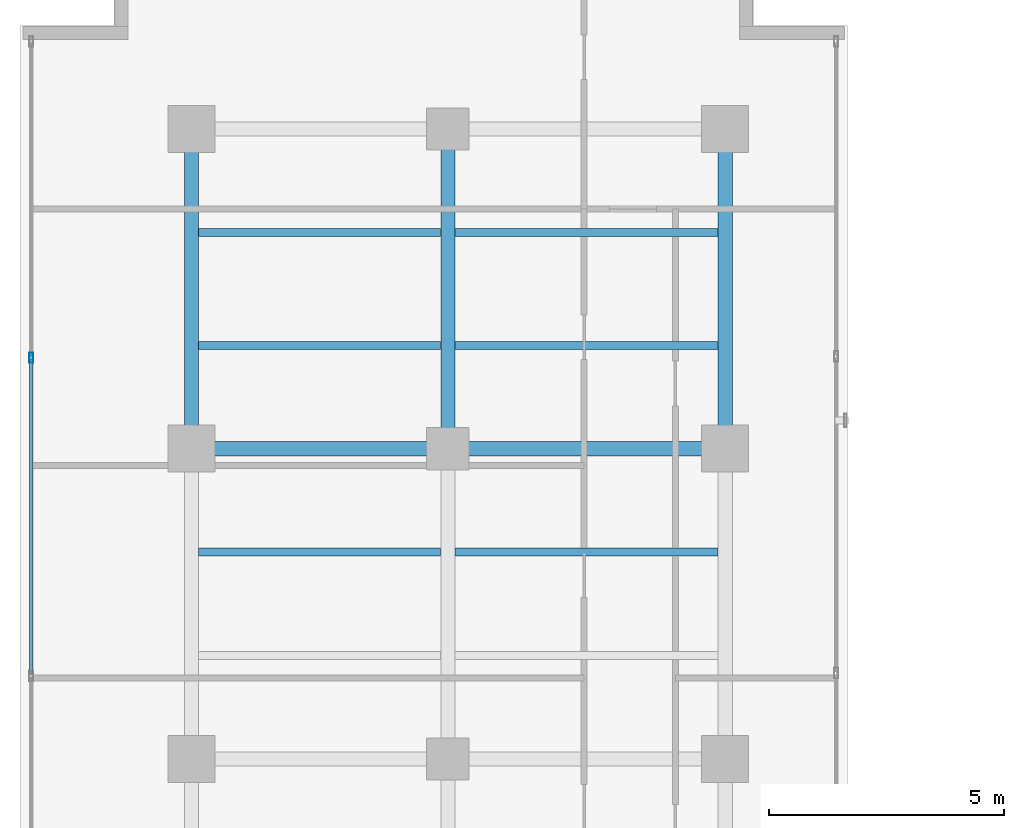
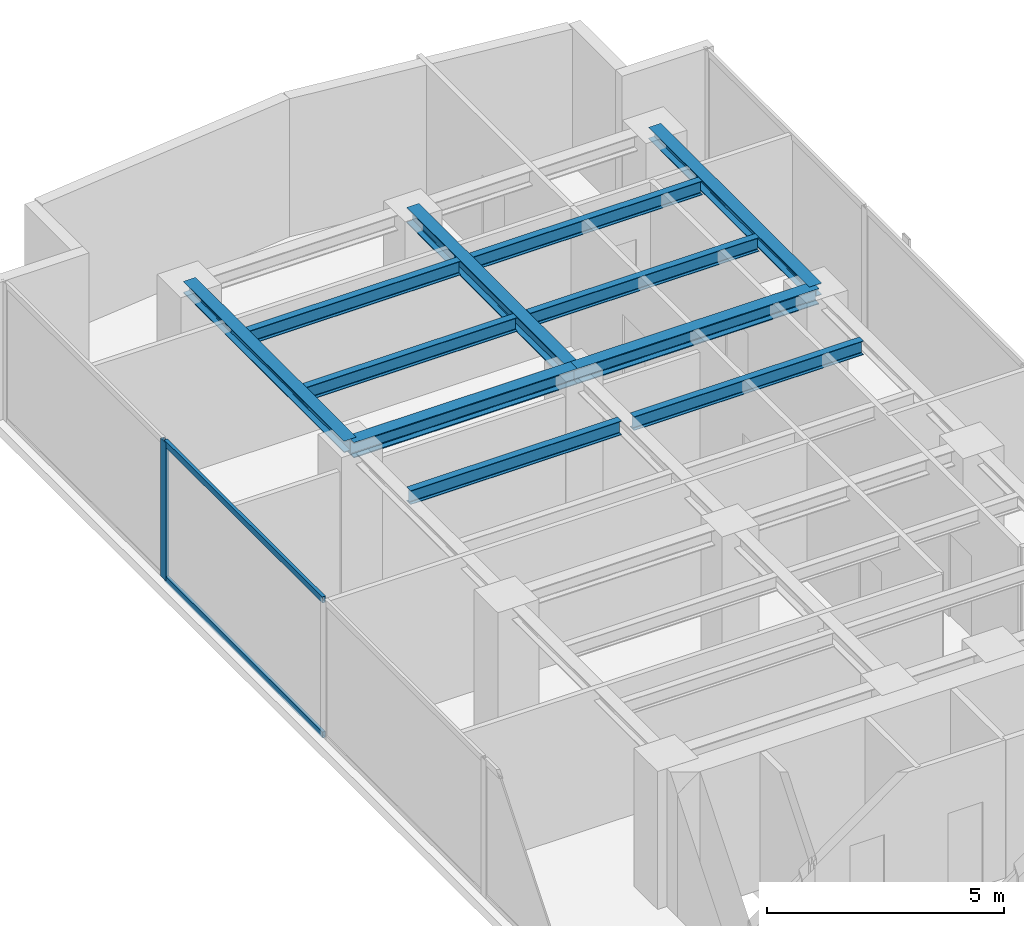
# One storey, part 12 of 23: 11 beams, 3 members, 1 element without a shape of its own.
"""IFC4 building model written with IfcOpenShell, lengths in metres."""

from ifc_helpers import new_model, si_unit, direction, frame, origin, origin_with_axes, origin_2d, place, context, subcontext, project, spatial, hollow_rectangle, i_section, extrude, source, transform, mapped, material, layer, layer_set, material_profile, profile_set, type_object, element, aggregate, save


model = new_model("IFC4")

# Units and contexts
model_context = context("Model", 3, precision=1e-05, world=origin(), true_north=direction((0.0, 1.0)))
body_context = subcontext(model_context, "Body", "Model", "MODEL_VIEW")
ifc_project = project(units=[si_unit("LENGTHUNIT", "METRE"), si_unit("AREAUNIT", "SQUARE_METRE"), si_unit("VOLUMEUNIT", "CUBIC_METRE"), si_unit("PLANEANGLEUNIT", "RADIAN"), si_unit("MASSUNIT", "GRAM", prefix="KILO")], contexts=[model_context])

# Site, building, storey
site_placement = place(None, origin())
site = spatial("IfcSite", under=ifc_project, at=site_placement, CompositionType="ELEMENT")
building_placement = place(site_placement, origin())
building = spatial("IfcBuilding", under=site, at=building_placement, Name="Kolvaren Waterfront Exchange", CompositionType="ELEMENT")
storey_placement = place(building_placement, frame((0.0, 0.0, 227.300048828125)))
storey = spatial("IfcBuildingStorey", under=building, at=storey_placement, Name="L58", CompositionType="ELEMENT", Elevation=227.300048828125)

# Beams
ifc_material_1 = material(Name="Steel S355", Category="steel")
ifc_material_profile_1 = material_profile(ifc_material_1, i_section(OverallWidth=0.300048828125, OverallDepth=0.300048828125, WebThickness=0.010986328125, FlangeThickness=0.01904296875, FilletRadius=0.027099609375, at=origin_2d()), Name="HEB300")
ifc_profile_set_1 = profile_set([ifc_material_profile_1], Name="Steel S355")
beam_type_1 = type_object("IfcBeamType", Name="STR-BM-HEB300", PredefinedType="SPANDREL", material=ifc_profile_set_1)
for number, where, z_axis, x_axis, name in (
    (1, (7.449951171875, 37.800048828125, 3.409912109375), (0.0, 1.0, 0.0), (-1.0, 0.0, 0.0), "L58 north-arm edge beam 3"),
    (2, (18.800048828125, 37.800048828125, 3.409912109375), (0.0, 1.0, 0.0), (-1.0, 0.0, 0.0), "L58 north-arm edge beam 3"),
):
    element("IfcBeam", number, at=place(storey_placement, frame(where, z_axis=z_axis, x_axis=x_axis)), inside=storey, type_object=beam_type_1, Name=name, PredefinedType="SPANDREL", context=body_context, shape_type="SweptSolid", body=[
        extrude(i_section(OverallWidth=0.300048828125, OverallDepth=0.300048828125, WebThickness=0.010986328125, FlangeThickness=0.01904296875, FilletRadius=0.027099609375, at=origin_2d()), origin(), (0.0, 0.0, 1.0), 6.800048828125),
    ])
ifc_material_profile_2 = material_profile(ifc_material_1, i_section(OverallWidth=0.300048828125, OverallDepth=0.39990234375, WebThickness=0.013427734375, FlangeThickness=0.02392578125, FilletRadius=0.027099609375, at=origin_2d()), Name="HEB400")
ifc_profile_set_2 = profile_set([ifc_material_profile_2], Name="Steel S355")
beam_type_2 = type_object("IfcBeamType", Name="STR-BM-HEB400", PredefinedType="BEAM", material=ifc_profile_set_2)
beam_1_placement = place(storey_placement, frame((7.449951171875, 37.800048828125, 3.35986328125), z_axis=(1.0, 0.0, 0.0), x_axis=(0.0, 1.0, 0.0)))
element("IfcBeam", 3, at=beam_1_placement, inside=storey, type_object=beam_type_2, Name="L58 north-arm girder 3A", PredefinedType="BEAM", context=body_context, shape_type="SweptSolid", body=[
    extrude(i_section(OverallWidth=0.300048828125, OverallDepth=0.39990234375, WebThickness=0.013427734375, FlangeThickness=0.02392578125, FilletRadius=0.027099609375, at=origin_2d()), origin(), (0.0, 0.0, 1.0), 5.449951171875),
])
beam_2_placement = place(storey_placement, frame((12.89990234375, 37.800048828125, 3.35986328125), z_axis=(1.0, 0.0, 0.0), x_axis=(0.0, 1.0, 0.0)))
element("IfcBeam", 4, at=beam_2_placement, inside=storey, type_object=beam_type_2, Name="L58 north-arm girder 3B", PredefinedType="BEAM", context=body_context, shape_type="SweptSolid", body=[
    extrude(i_section(OverallWidth=0.300048828125, OverallDepth=0.39990234375, WebThickness=0.013427734375, FlangeThickness=0.02392578125, FilletRadius=0.027099609375, at=origin_2d()), origin(), (0.0, 0.0, 1.0), 5.900146484375),
])
beam_3_placement = place(storey_placement, frame((12.89990234375, 37.800048828125, 3.35986328125), z_axis=(0.0, 1.0, 0.0), x_axis=(-1.0, 0.0, 0.0)))
element("IfcBeam", 5, at=beam_3_placement, inside=storey, type_object=beam_type_2, Name="L58 north-arm edge beam 3", PredefinedType="BEAM", context=body_context, shape_type="SweptSolid", body=[
    extrude(i_section(OverallWidth=0.300048828125, OverallDepth=0.39990234375, WebThickness=0.013427734375, FlangeThickness=0.02392578125, FilletRadius=0.027099609375, at=origin_2d()), origin(), (0.0, 0.0, 1.0), 6.800048828125),
])
ifc_material_profile_3 = material_profile(ifc_material_1, i_section(OverallWidth=0.169921875, OverallDepth=0.360107421875, WebThickness=0.008056640625, FlangeThickness=0.0126953125, FilletRadius=0.01806640625, at=origin_2d()), Name="IPE360")
ifc_profile_set_3 = profile_set([ifc_material_profile_3], Name="Steel S355")
beam_type_3 = type_object("IfcBeamType", Name="STR-BM-IPE360", PredefinedType="JOIST", material=ifc_profile_set_3)
beam_4_placement = place(storey_placement, frame((7.60205078125, 35.60009765625, 3.3798828125), z_axis=(1.0, 0.0, 0.0), x_axis=(0.0, 1.0, 0.0)))
element("IfcBeam", 6, at=beam_4_placement, inside=storey, type_object=beam_type_3, Name="L58 north-arm composite joist 4A", PredefinedType="JOIST", context=body_context, shape_type="SweptSolid", body=[
    extrude(i_section(OverallWidth=0.169921875, OverallDepth=0.360107421875, WebThickness=0.008056640625, FlangeThickness=0.0126953125, FilletRadius=0.01806640625, at=origin_2d()), origin(), (0.0, 0.0, 1.0), 5.14599609375),
])
beam_5_placement = place(storey_placement, frame((13.052001953125, 35.60009765625, 3.3798828125), z_axis=(1.0, 0.0, 0.0), x_axis=(0.0, 1.0, 0.0)))
element("IfcBeam", 7, at=beam_5_placement, inside=storey, type_object=beam_type_3, Name="L58 north-arm composite joist 4B", PredefinedType="JOIST", context=body_context, shape_type="SweptSolid", body=[
    extrude(i_section(OverallWidth=0.169921875, OverallDepth=0.360107421875, WebThickness=0.008056640625, FlangeThickness=0.0126953125, FilletRadius=0.01806640625, at=origin_2d()), origin(), (0.0, 0.0, 1.0), 5.595947265625),
])
beam_6_placement = place(storey_placement, frame((7.60205078125, 40.0, 3.3798828125), z_axis=(1.0, 0.0, 0.0), x_axis=(0.0, 1.0, 0.0)))
element("IfcBeam", 8, at=beam_6_placement, inside=storey, type_object=beam_type_3, Name="L58 north-arm composite joist 5A", PredefinedType="JOIST", context=body_context, shape_type="SweptSolid", body=[
    extrude(i_section(OverallWidth=0.169921875, OverallDepth=0.360107421875, WebThickness=0.008056640625, FlangeThickness=0.0126953125, FilletRadius=0.01806640625, at=origin_2d()), origin(), (0.0, 0.0, 1.0), 5.14599609375),
])
beam_7_placement = place(storey_placement, frame((13.052001953125, 40.0, 3.3798828125), z_axis=(1.0, 0.0, 0.0), x_axis=(0.0, 1.0, 0.0)))
element("IfcBeam", 9, at=beam_7_placement, inside=storey, type_object=beam_type_3, Name="L58 north-arm composite joist 5B", PredefinedType="JOIST", context=body_context, shape_type="SweptSolid", body=[
    extrude(i_section(OverallWidth=0.169921875, OverallDepth=0.360107421875, WebThickness=0.008056640625, FlangeThickness=0.0126953125, FilletRadius=0.01806640625, at=origin_2d()), origin(), (0.0, 0.0, 1.0), 5.595947265625),
])
beam_8_placement = place(storey_placement, frame((7.60205078125, 42.39990234375, 3.3798828125), z_axis=(1.0, 0.0, 0.0), x_axis=(0.0, 1.0, 0.0)))
element("IfcBeam", 10, at=beam_8_placement, inside=storey, type_object=beam_type_3, Name="L58 north-arm composite joist 6A", PredefinedType="JOIST", context=body_context, shape_type="SweptSolid", body=[
    extrude(i_section(OverallWidth=0.169921875, OverallDepth=0.360107421875, WebThickness=0.008056640625, FlangeThickness=0.0126953125, FilletRadius=0.01806640625, at=origin_2d()), origin(), (0.0, 0.0, 1.0), 5.14599609375),
])
beam_9_placement = place(storey_placement, frame((13.052001953125, 42.39990234375, 3.3798828125), z_axis=(1.0, 0.0, 0.0), x_axis=(0.0, 1.0, 0.0)))
element("IfcBeam", 11, at=beam_9_placement, inside=storey, type_object=beam_type_3, Name="L58 north-arm composite joist 6B", PredefinedType="JOIST", context=body_context, shape_type="SweptSolid", body=[
    extrude(i_section(OverallWidth=0.169921875, OverallDepth=0.360107421875, WebThickness=0.008056640625, FlangeThickness=0.0126953125, FilletRadius=0.01806640625, at=origin_2d()), origin(), (0.0, 0.0, 1.0), 5.595947265625),
])

# Curtain wall, members
ifc_material_2 = material(Name="Anodised aluminium 6063-T6", Category="aluminium")
ifc_layer = layer(ifc_material_2, 0.219970703125, Name="Anodised aluminium 6063-T6")
ifc_layer_set = layer_set([ifc_layer], Name="Anodised aluminium 6063-T6")
curtain_wall_type = type_object("IfcCurtainWallType", Name="ARC-CW-SYS2", PredefinedType="USERDEFINED", material=ifc_layer_set)
curtain_wall_placement = place(storey_placement, origin())
curtain_wall = element("IfcCurtainWall", 12, at=curtain_wall_placement, inside=storey, type_object=curtain_wall_type, Name="L58 stick curtain wall CW2 (CW-L58-W)", ObjectType="STICK CURTAIN WALL", PredefinedType="USERDEFINED")
ifc_material_profile_4 = material_profile(ifc_material_2, hollow_rectangle(XDim=0.080078125, YDim=0.219970703125, WallThickness=0.0048828125, at=origin_2d()), Name="ALU-MUL-220x80x5")
ifc_profile_set_4 = profile_set([ifc_material_profile_4], Name="Anodised aluminium 6063-T6")
member_type_1 = type_object("IfcMemberType", Name="ARC-CWM-220", PredefinedType="MULLION", material=ifc_profile_set_4)
shared_shape_1 = source(origin_with_axes(), body_context, "Body", "SweptSolid", [
    extrude(hollow_rectangle(XDim=0.080078125, YDim=0.219970703125, WallThickness=0.0048828125, at=origin_2d()), origin(), (0.0, 0.0, 1.0), 3.56005859375),
])
member_1_placement = place(storey_placement, frame((4.0400390625, 39.7333984375, 0.0), z_axis=(0.0, 0.0, 1.0), x_axis=(-1.0, 0.0, 0.0)))
member_1 = element("IfcMember", 13, at=member_1_placement, type_object=member_type_1, Name="CW2 mullion 6", PredefinedType="MULLION", context=body_context, shape_type="MappedRepresentation", body=[
    mapped(shared_shape_1, transform((0.0, 0.0, 0.0), x_axis=(1.0, 0.0, 0.0), y_axis=(0.0, 1.0, 0.0), z_axis=(0.0, 0.0, 1.0), scale=1.0)),
])
ifc_material_profile_5 = material_profile(ifc_material_2, hollow_rectangle(XDim=0.074951171875, YDim=0.159912109375, WallThickness=0.00439453125, at=origin_2d()), Name="ALU-TRN-160x75x4.5")
ifc_profile_set_5 = profile_set([ifc_material_profile_5], Name="Anodised aluminium 6063-T6")
member_type_2 = type_object("IfcMemberType", Name="ARC-CWT-160", PredefinedType="USERDEFINED", material=ifc_profile_set_5)
shared_shape_2 = source(origin_with_axes(), body_context, "Body", "SweptSolid", [
    extrude(hollow_rectangle(XDim=0.074951171875, YDim=0.159912109375, WallThickness=0.00439453125, at=origin_2d()), origin(), (0.0, 0.0, 1.0), 6.686767578125),
])
member_2_placement = place(storey_placement, frame((4.0400390625, 33.006591796875, 0.037353515625), z_axis=(0.0, 1.0, 0.0), x_axis=(-1.0, 0.0, 0.0)))
member_2 = element("IfcMember", 14, at=member_2_placement, type_object=member_type_2, Name="CW2 transom 5.1", ObjectType="TRANSOM", PredefinedType="USERDEFINED", context=body_context, shape_type="MappedRepresentation", body=[
    mapped(shared_shape_2, transform((0.0, 0.0, 0.0), x_axis=(1.0, 0.0, 0.0), y_axis=(0.0, 1.0, 0.0), z_axis=(0.0, 0.0, 1.0), scale=1.0)),
])
member_3_placement = place(storey_placement, frame((4.0400390625, 33.006591796875, 3.5224609375), z_axis=(0.0, 1.0, 0.0), x_axis=(-1.0, 0.0, 0.0)))
member_3 = element("IfcMember", 15, at=member_3_placement, type_object=member_type_2, Name="CW2 transom 5.2", ObjectType="TRANSOM", PredefinedType="USERDEFINED", context=body_context, shape_type="MappedRepresentation", body=[
    mapped(shared_shape_2, transform((0.0, 0.0, 0.0), x_axis=(1.0, 0.0, 0.0), y_axis=(0.0, 1.0, 0.0), z_axis=(0.0, 0.0, 1.0), scale=1.0)),
])
aggregate(curtain_wall, [member_1, member_2, member_3])

save(model, "model.ifc")
